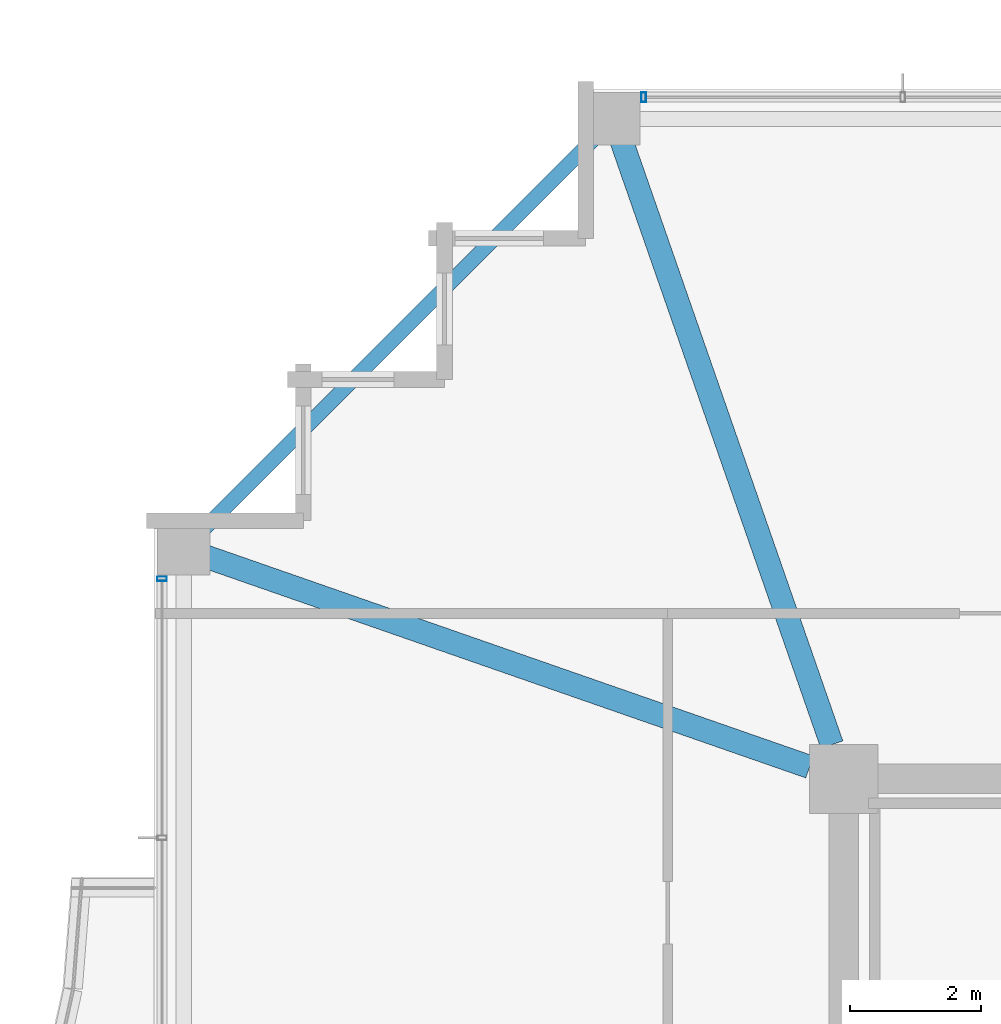
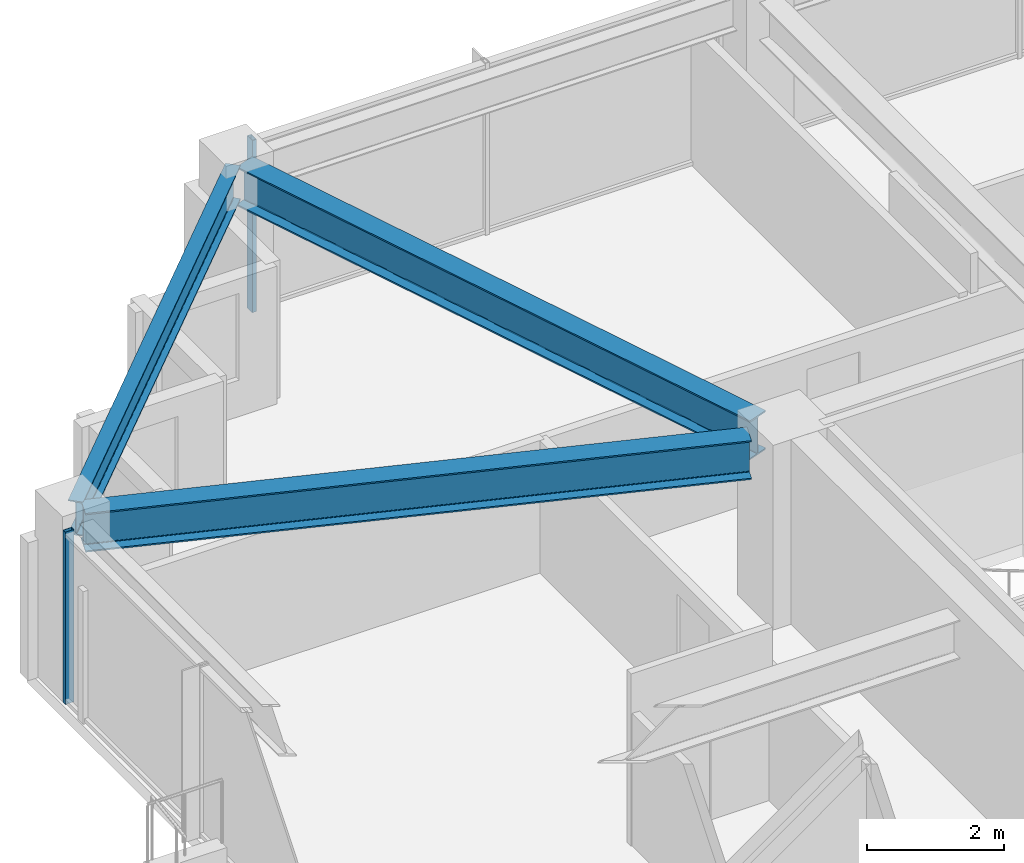
# One storey, part 15 of 33: 3 beams, 2 members, 2 elements without a shape of their own.
"""IFC4 building model written with IfcOpenShell, lengths in metres."""

from ifc_helpers import new_model, si_unit, direction, frame, origin, origin_2d, place, context, subcontext, project, spatial, hollow_rectangle, i_section, extrude, material, material_profile, profile_set, type_object, element, aggregate, save


model = new_model("IFC4")

# Units and contexts
model_context = context("Model", 3, precision=1e-05, world=origin(), true_north=direction((0.0, 1.0)))
body_context = subcontext(model_context, "Body", "Model", "MODEL_VIEW")
ifc_project = project(units=[si_unit("LENGTHUNIT", "METRE"), si_unit("AREAUNIT", "SQUARE_METRE"), si_unit("VOLUMEUNIT", "CUBIC_METRE"), si_unit("PLANEANGLEUNIT", "RADIAN"), si_unit("MASSUNIT", "GRAM", prefix="KILO")], contexts=[model_context])

# Site, building, storey
site_placement = place(None, origin())
site = spatial("IfcSite", under=ifc_project, at=site_placement, CompositionType="ELEMENT")
building_placement = place(site_placement, origin())
building = spatial("IfcBuilding", under=site, at=building_placement, Name="Kolvaren Belvedere", CompositionType="ELEMENT")
storey_placement = place(building_placement, frame((0.0, 0.0, 209.699951171875)))
storey = spatial("IfcBuildingStorey", under=building, at=storey_placement, Name="L61", CompositionType="ELEMENT", Elevation=209.699951171875)

# Beams
ifc_material_1 = material(Name="Structural steel ASTM A992 Grade 50", Category="steel")
ifc_material_profile_1 = material_profile(ifc_material_1, i_section(OverallWidth=0.35498046875, OverallDepth=0.696044921875, WebThickness=0.015380859375, FlangeThickness=0.02490234375, FilletRadius=0.02197265625, at=origin_2d()), Name="W27X146")
ifc_profile_set_1 = profile_set([ifc_material_profile_1], Name="Structural steel ASTM A992 Grade 50")
beam_type_1 = type_object("IfcBeamType", Name="BM-GIRD-W27X146", PredefinedType="BEAM", material=ifc_profile_set_1)
for number, where, z_axis, x_axis, name in (
    (1, (-10.080810546875, 10.41943359375, 2.73193359375), (-0.328898147971, 0.944365399758, 0.0), (-0.944365399758, -0.328898147971, 0.0), "L61 Corner Core-to-Perimeter Girder CC4-N1"),
    (2, (-10.41943359375, 10.080810546875, 2.73193359375), (-0.944365399758, 0.328898147971, 0.0), (-0.328898147971, -0.944365399758, 0.0), "L61 Corner Core-to-Perimeter Girder CC4-W4"),
):
    element("IfcBeam", number, at=place(storey_placement, frame(where, z_axis=z_axis, x_axis=x_axis)), inside=storey, type_object=beam_type_1, Name=name, PredefinedType="BEAM", context=body_context, shape_type="SweptSolid", body=[
        extrude(i_section(OverallWidth=0.35498046875, OverallDepth=0.696044921875, WebThickness=0.015380859375, FlangeThickness=0.02490234375, FilletRadius=0.02197265625, at=origin_2d()), origin(), (0.0, 0.0, 1.0), 9.931884765625),
    ])
ifc_material_2 = material(Name="Structural steel ASTM A992 Grade 50", Category="steel")
ifc_material_profile_2 = material_profile(ifc_material_2, i_section(OverallWidth=0.22900390625, OverallDepth=0.612060546875, WebThickness=0.011962890625, FlangeThickness=0.01953125, FilletRadius=0.01806640625, at=origin_2d()), Name="W24X84")
ifc_profile_set_2 = profile_set([ifc_material_profile_2], Name="Structural steel ASTM A992 Grade 50")
beam_type_2 = type_object("IfcBeamType", Name="BM-SPAN-W24X84", PredefinedType="SPANDREL", material=ifc_profile_set_2)
beam_placement = place(storey_placement, frame((-13.52734375, 19.82275390625, 2.774169921875), z_axis=(-0.707106781187, -0.707106781187, 0.0), x_axis=(0.707106781187, -0.707106781187, 0.0)))
element("IfcBeam", 3, at=beam_placement, inside=storey, type_object=beam_type_2, Name="L61 Perimeter Spandrel N1-W4", PredefinedType="SPANDREL", context=body_context, shape_type="SweptSolid", body=[
    extrude(i_section(OverallWidth=0.22900390625, OverallDepth=0.612060546875, WebThickness=0.011962890625, FlangeThickness=0.01953125, FilletRadius=0.01806640625, at=origin_2d()), origin(), (0.0, 0.0, 1.0), 8.903076171875),
])

# Curtain wall, member
ifc_material_3 = material(Name="Anodised pale-metal aluminium AA 6063-T6", Category="aluminium")
curtain_wall_type = type_object("IfcCurtainWallType", Name="CW-Z5-HIGH", PredefinedType="NOTDEFINED", material=ifc_material_3)
curtain_wall_1_placement = place(storey_placement, origin())
curtain_wall_1 = element("IfcCurtainWall", 4, at=curtain_wall_1_placement, inside=storey, type_object=curtain_wall_type, Name="L61 Unitised Curtain Wall FCW-L61-N-B1", PredefinedType="NOTDEFINED")
ifc_material_4 = material(Name="Anodised pale-metal aluminium AA 6063-T6", Category="aluminium")
ifc_material_profile_3 = material_profile(ifc_material_4, hollow_rectangle(XDim=0.070068359375, YDim=0.14990234375, WallThickness=0.004150390625, at=origin_2d()), Name="ALU-MUL-150X70")
ifc_profile_set_3 = profile_set([ifc_material_profile_3], Name="Anodised pale-metal aluminium AA 6063-T6")
member_type = type_object("IfcMemberType", Name="CW-MUL-150", PredefinedType="MULLION", material=ifc_profile_set_3)
member_1_placement = place(storey_placement, frame((-12.945068359375, 20.280029296875, 0.0), z_axis=(0.0, 0.0, 1.0), x_axis=(1.0, 0.0, 0.0)))
member_1 = element("IfcMember", 5, at=member_1_placement, type_object=member_type, Name="FCW-L61-N-B1 Unitised Mullion 1", PredefinedType="MULLION", context=body_context, shape_type="SweptSolid", body=[
    extrude(hollow_rectangle(XDim=0.070068359375, YDim=0.14990234375, WallThickness=0.004150390625, at=origin_2d()), origin(), (0.0, 0.0, 1.0), 3.080078125),
])
aggregate(curtain_wall_1, [member_1])

curtain_wall_2_placement = place(storey_placement, origin())
curtain_wall_2 = element("IfcCurtainWall", 6, at=curtain_wall_2_placement, inside=storey, type_object=curtain_wall_type, Name="L61 Unitised Curtain Wall FCW-L61-W2-B2", PredefinedType="NOTDEFINED")
member_2_placement = place(storey_placement, frame((-20.280029296875, 12.945068359375, 0.0), z_axis=(0.0, 0.0, 1.0), x_axis=(0.0, 1.0, 0.0)))
member_2 = element("IfcMember", 7, at=member_2_placement, type_object=member_type, Name="FCW-L61-W2-B2 Unitised Mullion 3", PredefinedType="MULLION", context=body_context, shape_type="SweptSolid", body=[
    extrude(hollow_rectangle(XDim=0.070068359375, YDim=0.14990234375, WallThickness=0.004150390625, at=origin_2d()), origin(), (0.0, 0.0, 1.0), 3.080078125),
])
aggregate(curtain_wall_2, [member_2])

save(model, "model.ifc")
